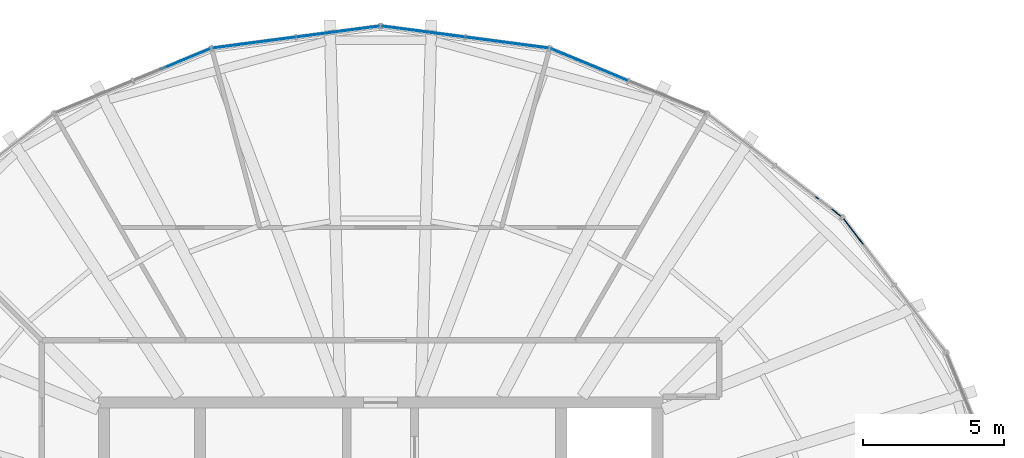
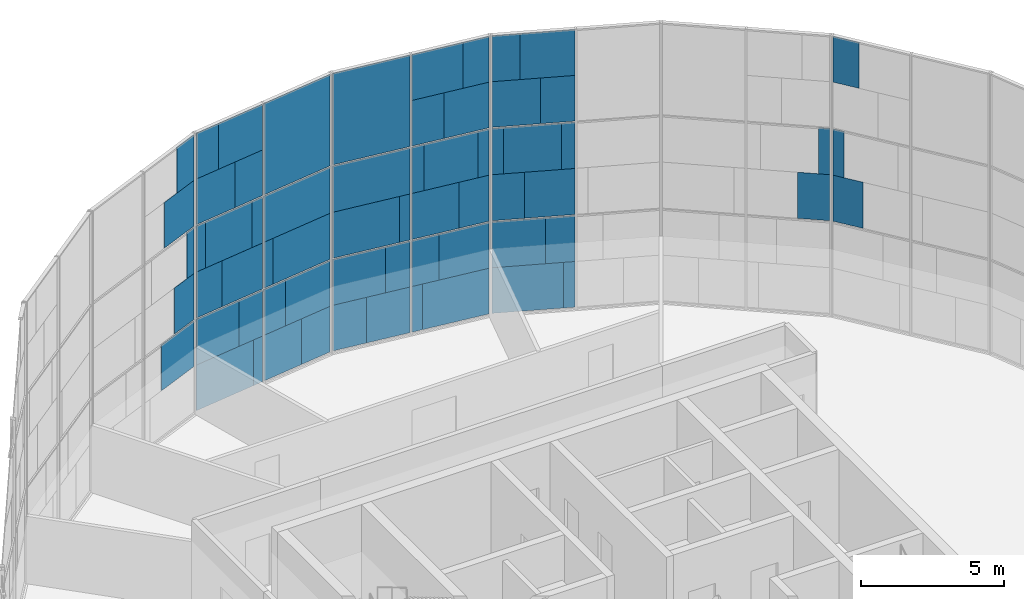
# One storey, part 17 of 23: 65 plates, 6 elements without a shape of their own.
"""IFC4 building model written with IfcOpenShell, lengths in metres."""

from ifc_helpers import new_model, si_unit, direction, frame, origin, origin_2d, place, context, subcontext, project, spatial, rectangle, extrude, material, layer, layer_set, type_object, element, aggregate, save


model = new_model("IFC4")

# Units and contexts
model_context = context("Model", 3, precision=1e-05, world=origin(), true_north=direction((0.0, 1.0)))
body_context = subcontext(model_context, "Body", "Model", "MODEL_VIEW")
ifc_project = project(units=[si_unit("LENGTHUNIT", "METRE"), si_unit("AREAUNIT", "SQUARE_METRE"), si_unit("VOLUMEUNIT", "CUBIC_METRE"), si_unit("PLANEANGLEUNIT", "RADIAN"), si_unit("MASSUNIT", "GRAM", prefix="KILO")], contexts=[model_context])

# Site, building, storey
site_placement = place(None, origin())
site = spatial("IfcSite", under=ifc_project, at=site_placement, CompositionType="ELEMENT")
building_placement = place(site_placement, origin())
building = spatial("IfcBuilding", under=site, at=building_placement, Name="Golbaran Civic Tower", CompositionType="ELEMENT")
storey_placement = place(building_placement, frame((0.0, 0.0, 220.0)))
storey = spatial("IfcBuildingStorey", under=building, at=storey_placement, Name="L53", CompositionType="ELEMENT", Elevation=220.0)

# Curtain wall, plates
ifc_material_1 = material(Name="Aluminium and glass", Category="aluminium")
curtain_wall_type = type_object("IfcCurtainWallType", Name="INNER SKIN CURTAIN WALL EXECUTIVE", PredefinedType="NOTDEFINED", material=ifc_material_1)
curtain_wall_1_placement = place(storey_placement, origin())
curtain_wall_1 = element("IfcCurtainWall", 1, at=curtain_wall_1_placement, inside=storey, type_object=curtain_wall_type, Name="Inner skin L53 facet 3 CW2", ObjectType="INNER SKIN", PredefinedType="USERDEFINED")
ifc_material_2 = material(Name="Clear insulating glass", Category="glass")
ifc_layer_1 = layer(ifc_material_2, 0.031982421875, Name="Clear insulating glass")
ifc_layer_set_1 = layer_set([ifc_layer_1], Name="Clear insulating glass")
plate_type_1 = type_object("IfcPlateType", Name="INNER SKIN CURTAIN WALL EXECUTIVE GLAZED PANEL", PredefinedType="CURTAIN_PANEL", material=ifc_layer_set_1)
plate_1_placement = place(storey_placement, frame((16.74169921875, 15.858642578125, 4.02978515625), z_axis=(0.0, 0.0, 1.0), x_axis=(-0.608761428981, 0.793353340312, 0.0)))
plate_1 = element("IfcPlate", 2, at=plate_1_placement, type_object=plate_type_1, Name="CW2 panel 2.2 part 2", PredefinedType="CURTAIN_PANEL", context=body_context, shape_type="SweptSolid", body=[
    extrude(rectangle(XDim=1.1396484375, YDim=0.031982421875, at=origin_2d()), origin(), (0.0, 0.0, 1.0), 1.969970703125),
])
plate_2_placement = place(storey_placement, frame((16.52001953125, 16.147216796875, 6.0), z_axis=(0.0, 0.0, 1.0), x_axis=(-0.608761428981, 0.793353340312, 0.0)))
plate_2 = element("IfcPlate", 3, at=plate_2_placement, type_object=plate_type_1, Name="CW2 panel 2.2 part 5", PredefinedType="CURTAIN_PANEL", context=body_context, shape_type="SweptSolid", body=[
    extrude(rectangle(XDim=0.41162109375, YDim=0.031982421875, at=origin_2d()), origin(), (0.0, 0.0, 1.0), 1.969970703125),
])

curtain_wall_2_placement = place(storey_placement, origin())
curtain_wall_2 = element("IfcCurtainWall", 4, at=curtain_wall_2_placement, inside=storey, type_object=curtain_wall_type, Name="Inner skin L53 facet 4 CW2", ObjectType="INNER SKIN", PredefinedType="USERDEFINED")
plate_3_placement = place(storey_placement, frame((15.85888671875, 16.741455078125, 4.02978515625), z_axis=(0.0, 0.0, 1.0), x_axis=(-0.793353340312, 0.608761428981, 0.0)))
plate_3 = element("IfcPlate", 5, at=plate_3_placement, type_object=plate_type_1, Name="CW2 panel 1.2 part 1", PredefinedType="CURTAIN_PANEL", context=body_context, shape_type="SweptSolid", body=[
    extrude(rectangle(XDim=1.138916015625, YDim=0.031982421875, at=origin_2d()), origin(), (0.0, 0.0, 1.0), 1.969970703125),
])
plate_4_placement = place(storey_placement, frame((16.147216796875, 16.52001953125, 6.0), z_axis=(0.0, 0.0, 1.0), x_axis=(-0.793353340312, 0.608761428981, 0.0)))
plate_4 = element("IfcPlate", 6, at=plate_4_placement, type_object=plate_type_1, Name="CW2 panel 1.2 part 3", PredefinedType="CURTAIN_PANEL", context=body_context, shape_type="SweptSolid", body=[
    extrude(rectangle(XDim=0.412109375, YDim=0.031982421875, at=origin_2d()), origin(), (0.0, 0.0, 1.0), 1.969970703125),
])
aggregate(curtain_wall_2, [plate_3, plate_4])

curtain_wall_3_placement = place(storey_placement, origin())
curtain_wall_3 = element("IfcCurtainWall", 7, at=curtain_wall_3_placement, inside=storey, type_object=curtain_wall_type, Name="Inner skin L53 facet 5 CW2", ObjectType="INNER SKIN", PredefinedType="USERDEFINED")
plate_5_placement = place(storey_placement, frame((7.21142578125, 21.8388671875, 0.06005859375), z_axis=(0.0, 0.0, 1.0), x_axis=(-0.923879532531, 0.382683432317, 0.0)))
plate_5 = element("IfcPlate", 8, at=plate_5_placement, type_object=plate_type_1, Name="CW2 panel 2.1 part 2", PredefinedType="CURTAIN_PANEL", context=body_context, shape_type="SweptSolid", body=[
    extrude(rectangle(XDim=2.529541015625, YDim=0.031982421875, at=origin_2d()), origin(), (0.0, 0.0, 1.0), 1.955078125),
])
plate_6_placement = place(storey_placement, frame((6.915771484375, 21.961181640625, 2.014892578125), z_axis=(0.0, 0.0, 1.0), x_axis=(-0.923879532531, 0.382683432317, 0.0)))
plate_6 = element("IfcPlate", 9, at=plate_6_placement, type_object=plate_type_1, Name="CW2 panel 2.1 part 4", PredefinedType="CURTAIN_PANEL", context=body_context, shape_type="SweptSolid", body=[
    extrude(rectangle(XDim=1.8896484375, YDim=0.031982421875, at=origin_2d()), origin(), (0.0, 0.0, 1.0), 1.955078125),
])
plate_7_placement = place(storey_placement, frame((6.5693359375, 22.104736328125, 4.02978515625), z_axis=(0.0, 0.0, 1.0), x_axis=(-0.923879532531, 0.382683432317, 0.0)))
plate_7 = element("IfcPlate", 10, at=plate_7_placement, type_object=plate_type_1, Name="CW2 panel 2.2 part 2", PredefinedType="CURTAIN_PANEL", context=body_context, shape_type="SweptSolid", body=[
    extrude(rectangle(XDim=1.1396484375, YDim=0.031982421875, at=origin_2d()), origin(), (0.0, 0.0, 1.0), 1.969970703125),
])
plate_8_placement = place(storey_placement, frame((8.532958984375, 21.29150390625, 6.0), z_axis=(0.0, 0.0, 1.0), x_axis=(-0.923879532531, 0.382683432317, 0.0)))
plate_8 = element("IfcPlate", 11, at=plate_8_placement, type_object=plate_type_1, Name="CW2 panel 2.2 part 3", PredefinedType="CURTAIN_PANEL", context=body_context, shape_type="SweptSolid", body=[
    extrude(rectangle(XDim=0.468994140625, YDim=0.031982421875, at=origin_2d()), origin(), (0.0, 0.0, 1.0), 1.969970703125),
])
plate_9_placement = place(storey_placement, frame((6.233154296875, 22.243896484375, 6.0), z_axis=(0.0, 0.0, 1.0), x_axis=(-0.923879532531, 0.382683432317, 0.0)))
plate_9 = element("IfcPlate", 12, at=plate_9_placement, type_object=plate_type_1, Name="CW2 panel 2.2 part 5", PredefinedType="CURTAIN_PANEL", context=body_context, shape_type="SweptSolid", body=[
    extrude(rectangle(XDim=0.41162109375, YDim=0.031982421875, at=origin_2d()), origin(), (0.0, 0.0, 1.0), 1.969970703125),
])
plate_10_placement = place(storey_placement, frame((8.1865234375, 21.434814453125, 8.030029296875), z_axis=(0.0, 0.0, 1.0), x_axis=(-0.923879532531, 0.382683432317, 0.0)))
plate_10 = element("IfcPlate", 13, at=plate_10_placement, type_object=plate_type_1, Name="CW2 panel 2.3 part 1", PredefinedType="CURTAIN_PANEL", context=body_context, shape_type="SweptSolid", body=[
    extrude(rectangle(XDim=1.218994140625, YDim=0.031982421875, at=origin_2d()), origin(), (0.0, 0.0, 1.0), 1.955078125),
])
plate_11_placement = place(storey_placement, frame((7.85302734375, 21.572998046875, 9.98486328125), z_axis=(0.0, 0.0, 1.0), x_axis=(-0.923879532531, 0.382683432317, 0.0)))
plate_11 = element("IfcPlate", 14, at=plate_11_placement, type_object=plate_type_1, Name="CW2 panel 2.3 part 3", PredefinedType="CURTAIN_PANEL", context=body_context, shape_type="SweptSolid", body=[
    extrude(rectangle(XDim=1.94091796875, YDim=0.031982421875, at=origin_2d()), origin(), (0.0, 0.0, 1.0), 1.955078125),
])

curtain_wall_4_placement = place(storey_placement, origin())
curtain_wall_4 = element("IfcCurtainWall", 15, at=curtain_wall_4_placement, inside=storey, type_object=curtain_wall_type, Name="Inner skin L53 facet 6 CW2", ObjectType="INNER SKIN", PredefinedType="USERDEFINED")
plate_12_placement = place(storey_placement, frame((4.6748046875, 22.5185546875, 0.06005859375), z_axis=(0.0, 0.0, 1.0), x_axis=(-0.991444861365, 0.130526192289, 0.0)))
plate_12 = element("IfcPlate", 16, at=plate_12_placement, type_object=plate_type_1, Name="CW2 panel 1.1 part 1", PredefinedType="CURTAIN_PANEL", context=body_context, shape_type="SweptSolid", body=[
    extrude(rectangle(XDim=2.528076171875, YDim=0.031982421875, at=origin_2d()), origin(), (0.0, 0.0, 1.0), 1.955078125),
])
plate_13_placement = place(storey_placement, frame((4.99169921875, 22.476806640625, 2.014892578125), z_axis=(0.0, 0.0, 1.0), x_axis=(-0.991444861365, 0.130526192289, 0.0)))
plate_13 = element("IfcPlate", 17, at=plate_13_placement, type_object=plate_type_1, Name="CW2 panel 1.1 part 3", PredefinedType="CURTAIN_PANEL", context=body_context, shape_type="SweptSolid", body=[
    extrude(rectangle(XDim=1.888916015625, YDim=0.031982421875, at=origin_2d()), origin(), (0.0, 0.0, 1.0), 1.955078125),
])
plate_14_placement = place(storey_placement, frame((5.363525390625, 22.427978515625, 4.02978515625), z_axis=(0.0, 0.0, 1.0), x_axis=(-0.991444861365, 0.130526192289, 0.0)))
plate_14 = element("IfcPlate", 18, at=plate_14_placement, type_object=plate_type_1, Name="CW2 panel 1.2 part 1", PredefinedType="CURTAIN_PANEL", context=body_context, shape_type="SweptSolid", body=[
    extrude(rectangle(XDim=1.138916015625, YDim=0.031982421875, at=origin_2d()), origin(), (0.0, 0.0, 1.0), 1.969970703125),
])
plate_15_placement = place(storey_placement, frame((5.723876953125, 22.38037109375, 6.0), z_axis=(0.0, 0.0, 1.0), x_axis=(-0.991444861365, 0.130526192289, 0.0)))
plate_15 = element("IfcPlate", 19, at=plate_15_placement, type_object=plate_type_1, Name="CW2 panel 1.2 part 3", PredefinedType="CURTAIN_PANEL", context=body_context, shape_type="SweptSolid", body=[
    extrude(rectangle(XDim=0.412109375, YDim=0.031982421875, at=origin_2d()), origin(), (0.0, 0.0, 1.0), 1.969970703125),
])
plate_16_placement = place(storey_placement, frame((3.255859375, 22.705322265625, 6.0), z_axis=(0.0, 0.0, 1.0), x_axis=(-0.991444861365, 0.130526192289, 0.0)))
plate_16 = element("IfcPlate", 20, at=plate_16_placement, type_object=plate_type_1, Name="CW2 panel 1.2 part 5", PredefinedType="CURTAIN_PANEL", context=body_context, shape_type="SweptSolid", body=[
    extrude(rectangle(XDim=0.468505859375, YDim=0.031982421875, at=origin_2d()), origin(), (0.0, 0.0, 1.0), 1.969970703125),
])
plate_17_placement = place(storey_placement, frame((3.627685546875, 22.656494140625, 8.030029296875), z_axis=(0.0, 0.0, 1.0), x_axis=(-0.991444861365, 0.130526192289, 0.0)))
plate_17 = element("IfcPlate", 21, at=plate_17_placement, type_object=plate_type_1, Name="CW2 panel 1.3 part 2", PredefinedType="CURTAIN_PANEL", context=body_context, shape_type="SweptSolid", body=[
    extrude(rectangle(XDim=1.218505859375, YDim=0.031982421875, at=origin_2d()), origin(), (0.0, 0.0, 1.0), 1.955078125),
])
plate_18_placement = place(storey_placement, frame((3.986083984375, 22.609130859375, 9.98486328125), z_axis=(0.0, 0.0, 1.0), x_axis=(-0.991444861365, 0.130526192289, 0.0)))
plate_18 = element("IfcPlate", 22, at=plate_18_placement, type_object=plate_type_1, Name="CW2 panel 1.3 part 4", PredefinedType="CURTAIN_PANEL", context=body_context, shape_type="SweptSolid", body=[
    extrude(rectangle(XDim=1.941650390625, YDim=0.031982421875, at=origin_2d()), origin(), (0.0, 0.0, 1.0), 1.955078125),
])
plate_19_placement = place(storey_placement, frame((0.686279296875, 23.043701171875, 0.06005859375), z_axis=(0.0, 0.0, 1.0), x_axis=(-0.991444861365, 0.130526192289, 0.0)))
plate_19 = element("IfcPlate", 23, at=plate_19_placement, type_object=plate_type_1, Name="CW2 panel 2.1 part 2", PredefinedType="CURTAIN_PANEL", context=body_context, shape_type="SweptSolid", body=[
    extrude(rectangle(XDim=1.2646484375, YDim=0.031982421875, at=origin_2d()), origin(), (0.0, 0.0, 1.0), 1.955078125),
])
plate_20_placement = place(storey_placement, frame((1.044189453125, 22.99658203125, 2.014892578125), z_axis=(0.0, 0.0, 1.0), x_axis=(-0.991444861365, 0.130526192289, 0.0)))
plate_20 = element("IfcPlate", 24, at=plate_20_placement, type_object=plate_type_1, Name="CW2 panel 2.1 part 4", PredefinedType="CURTAIN_PANEL", context=body_context, shape_type="SweptSolid", body=[
    extrude(rectangle(XDim=1.986572265625, YDim=0.031982421875, at=origin_2d()), origin(), (0.0, 0.0, 1.0), 1.955078125),
])
plate_21_placement = place(storey_placement, frame((1.31298828125, 22.961181640625, 4.02978515625), z_axis=(0.0, 0.0, 1.0), x_axis=(-0.991444861365, 0.130526192289, 0.0)))
plate_21 = element("IfcPlate", 25, at=plate_21_placement, type_object=plate_type_1, Name="CW2 panel 2.2 part 2", PredefinedType="CURTAIN_PANEL", context=body_context, shape_type="SweptSolid", body=[
    extrude(rectangle(XDim=2.528564453125, YDim=0.031982421875, at=origin_2d()), origin(), (0.0, 0.0, 1.0), 1.969970703125),
])
plate_22_placement = place(storey_placement, frame((1.51171875, 22.93505859375, 6.0), z_axis=(0.0, 0.0, 1.0), x_axis=(-0.991444861365, 0.130526192289, 0.0)))
plate_22 = element("IfcPlate", 26, at=plate_22_placement, type_object=plate_type_1, Name="CW2 panel 2.2 part 3", PredefinedType="CURTAIN_PANEL", context=body_context, shape_type="SweptSolid", body=[
    extrude(rectangle(XDim=2.9296875, YDim=0.031982421875, at=origin_2d()), origin(), (0.0, 0.0, 1.0), 1.969970703125),
])
plate_23_placement = place(storey_placement, frame((1.51171875, 22.93505859375, 8.0302734375), z_axis=(0.0, 0.0, 1.0), x_axis=(-0.991444861365, 0.130526192289, 0.0)))
plate_23 = element("IfcPlate", 27, at=plate_23_placement, type_object=plate_type_1, Name="CW2 panel 2.3", PredefinedType="CURTAIN_PANEL", context=body_context, shape_type="SweptSolid", body=[
    extrude(rectangle(XDim=2.9296875, YDim=0.031982421875, at=origin_2d()), origin(), (0.0, 0.0, 1.0), 3.909912109375),
])

curtain_wall_5_placement = place(storey_placement, origin())
curtain_wall_5 = element("IfcCurtainWall", 28, at=curtain_wall_5_placement, inside=storey, type_object=curtain_wall_type, Name="Inner skin L53 facet 7 CW2", ObjectType="INNER SKIN", PredefinedType="USERDEFINED")
plate_24_placement = place(storey_placement, frame((-0.68603515625, 23.043701171875, 0.06005859375), z_axis=(0.0, 0.0, 1.0), x_axis=(-0.991444861365, -0.130526192289, 0.0)))
plate_24 = element("IfcPlate", 29, at=plate_24_placement, type_object=plate_type_1, Name="CW2 panel 1.1 part 1", PredefinedType="CURTAIN_PANEL", context=body_context, shape_type="SweptSolid", body=[
    extrude(rectangle(XDim=1.263916015625, YDim=0.031982421875, at=origin_2d()), origin(), (0.0, 0.0, 1.0), 1.955078125),
])
plate_25_placement = place(storey_placement, frame((-1.04443359375, 22.99658203125, 2.014892578125), z_axis=(0.0, 0.0, 1.0), x_axis=(-0.991444861365, -0.130526192289, 0.0)))
plate_25 = element("IfcPlate", 30, at=plate_25_placement, type_object=plate_type_1, Name="CW2 panel 1.1 part 3", PredefinedType="CURTAIN_PANEL", context=body_context, shape_type="SweptSolid", body=[
    extrude(rectangle(XDim=1.987060546875, YDim=0.031982421875, at=origin_2d()), origin(), (0.0, 0.0, 1.0), 1.955078125),
])
plate_26_placement = place(storey_placement, frame((-1.312744140625, 22.961181640625, 4.02978515625), z_axis=(0.0, 0.0, 1.0), x_axis=(-0.991444861365, -0.130526192289, 0.0)))
plate_26 = element("IfcPlate", 31, at=plate_26_placement, type_object=plate_type_1, Name="CW2 panel 1.2 part 1", PredefinedType="CURTAIN_PANEL", context=body_context, shape_type="SweptSolid", body=[
    extrude(rectangle(XDim=2.528076171875, YDim=0.031982421875, at=origin_2d()), origin(), (0.0, 0.0, 1.0), 1.969970703125),
])
plate_27_placement = place(storey_placement, frame((-1.51171875, 22.93505859375, 6.0), z_axis=(0.0, 0.0, 1.0), x_axis=(-0.991444861365, -0.130526192289, 0.0)))
plate_27 = element("IfcPlate", 32, at=plate_27_placement, type_object=plate_type_1, Name="CW2 panel 1.2 part 3", PredefinedType="CURTAIN_PANEL", context=body_context, shape_type="SweptSolid", body=[
    extrude(rectangle(XDim=2.9296875, YDim=0.031982421875, at=origin_2d()), origin(), (0.0, 0.0, 1.0), 1.969970703125),
])
plate_28_placement = place(storey_placement, frame((-1.51171875, 22.93505859375, 8.0302734375), z_axis=(0.0, 0.0, 1.0), x_axis=(-0.991444861365, -0.130526192289, 0.0)))
plate_28 = element("IfcPlate", 33, at=plate_28_placement, type_object=plate_type_1, Name="CW2 panel 1.3", PredefinedType="CURTAIN_PANEL", context=body_context, shape_type="SweptSolid", body=[
    extrude(rectangle(XDim=2.9296875, YDim=0.031982421875, at=origin_2d()), origin(), (0.0, 0.0, 1.0), 3.909912109375),
])
plate_29_placement = place(storey_placement, frame((-4.674072265625, 22.5185546875, 0.06005859375), z_axis=(0.0, 0.0, 1.0), x_axis=(-0.991444861365, -0.130526192289, 0.0)))
plate_29 = element("IfcPlate", 34, at=plate_29_placement, type_object=plate_type_1, Name="CW2 panel 2.1 part 2", PredefinedType="CURTAIN_PANEL", context=body_context, shape_type="SweptSolid", body=[
    extrude(rectangle(XDim=2.529541015625, YDim=0.031982421875, at=origin_2d()), origin(), (0.0, 0.0, 1.0), 1.955078125),
])
plate_30_placement = place(storey_placement, frame((-4.9912109375, 22.476806640625, 2.014892578125), z_axis=(0.0, 0.0, 1.0), x_axis=(-0.991444861365, -0.130526192289, 0.0)))
plate_30 = element("IfcPlate", 35, at=plate_30_placement, type_object=plate_type_1, Name="CW2 panel 2.1 part 4", PredefinedType="CURTAIN_PANEL", context=body_context, shape_type="SweptSolid", body=[
    extrude(rectangle(XDim=1.8896484375, YDim=0.031982421875, at=origin_2d()), origin(), (0.0, 0.0, 1.0), 1.955078125),
])
plate_31_placement = place(storey_placement, frame((-5.363037109375, 22.427978515625, 4.02978515625), z_axis=(0.0, 0.0, 1.0), x_axis=(-0.991444861365, -0.130526192289, 0.0)))
plate_31 = element("IfcPlate", 36, at=plate_31_placement, type_object=plate_type_1, Name="CW2 panel 2.2 part 2", PredefinedType="CURTAIN_PANEL", context=body_context, shape_type="SweptSolid", body=[
    extrude(rectangle(XDim=1.1396484375, YDim=0.031982421875, at=origin_2d()), origin(), (0.0, 0.0, 1.0), 1.969970703125),
])
plate_32_placement = place(storey_placement, frame((-3.256103515625, 22.705322265625, 6.0), z_axis=(0.0, 0.0, 1.0), x_axis=(-0.991444861365, -0.130526192289, 0.0)))
plate_32 = element("IfcPlate", 37, at=plate_32_placement, type_object=plate_type_1, Name="CW2 panel 2.2 part 3", PredefinedType="CURTAIN_PANEL", context=body_context, shape_type="SweptSolid", body=[
    extrude(rectangle(XDim=0.468994140625, YDim=0.031982421875, at=origin_2d()), origin(), (0.0, 0.0, 1.0), 1.969970703125),
])
plate_33_placement = place(storey_placement, frame((-5.723876953125, 22.38037109375, 6.0), z_axis=(0.0, 0.0, 1.0), x_axis=(-0.991444861365, -0.130526192289, 0.0)))
plate_33 = element("IfcPlate", 38, at=plate_33_placement, type_object=plate_type_1, Name="CW2 panel 2.2 part 5", PredefinedType="CURTAIN_PANEL", context=body_context, shape_type="SweptSolid", body=[
    extrude(rectangle(XDim=0.41162109375, YDim=0.031982421875, at=origin_2d()), origin(), (0.0, 0.0, 1.0), 1.969970703125),
])
plate_34_placement = place(storey_placement, frame((-3.627685546875, 22.656494140625, 8.030029296875), z_axis=(0.0, 0.0, 1.0), x_axis=(-0.991444861365, -0.130526192289, 0.0)))
plate_34 = element("IfcPlate", 39, at=plate_34_placement, type_object=plate_type_1, Name="CW2 panel 2.3 part 1", PredefinedType="CURTAIN_PANEL", context=body_context, shape_type="SweptSolid", body=[
    extrude(rectangle(XDim=1.218994140625, YDim=0.031982421875, at=origin_2d()), origin(), (0.0, 0.0, 1.0), 1.955078125),
])
plate_35_placement = place(storey_placement, frame((-3.985595703125, 22.609375, 9.98486328125), z_axis=(0.0, 0.0, 1.0), x_axis=(-0.991444861365, -0.130526192289, 0.0)))
plate_35 = element("IfcPlate", 40, at=plate_35_placement, type_object=plate_type_1, Name="CW2 panel 2.3 part 3", PredefinedType="CURTAIN_PANEL", context=body_context, shape_type="SweptSolid", body=[
    extrude(rectangle(XDim=1.94091796875, YDim=0.031982421875, at=origin_2d()), origin(), (0.0, 0.0, 1.0), 1.955078125),
])

curtain_wall_6_placement = place(storey_placement, origin())
curtain_wall_6 = element("IfcCurtainWall", 41, at=curtain_wall_6_placement, inside=storey, type_object=curtain_wall_type, Name="Inner skin L53 facet 8 CW2", ObjectType="INNER SKIN", PredefinedType="USERDEFINED")
plate_36_placement = place(storey_placement, frame((-6.91552734375, 21.96142578125, 2.014892578125), z_axis=(0.0, 0.0, 1.0), x_axis=(-0.923879532531, -0.382683432317, 0.0)))
plate_36 = element("IfcPlate", 42, at=plate_36_placement, type_object=plate_type_1, Name="CW2 panel 1.1 part 3", PredefinedType="CURTAIN_PANEL", context=body_context, shape_type="SweptSolid", body=[
    extrude(rectangle(XDim=1.888916015625, YDim=0.031982421875, at=origin_2d()), origin(), (0.0, 0.0, 1.0), 1.955078125),
])
plate_37_placement = place(storey_placement, frame((-6.569091796875, 22.104736328125, 4.02978515625), z_axis=(0.0, 0.0, 1.0), x_axis=(-0.923879532531, -0.382683432317, 0.0)))
plate_37 = element("IfcPlate", 43, at=plate_37_placement, type_object=plate_type_1, Name="CW2 panel 1.2 part 1", PredefinedType="CURTAIN_PANEL", context=body_context, shape_type="SweptSolid", body=[
    extrude(rectangle(XDim=1.138916015625, YDim=0.031982421875, at=origin_2d()), origin(), (0.0, 0.0, 1.0), 1.969970703125),
])
plate_38_placement = place(storey_placement, frame((-6.233154296875, 22.243896484375, 6.0), z_axis=(0.0, 0.0, 1.0), x_axis=(-0.923879532531, -0.382683432317, 0.0)))
plate_38 = element("IfcPlate", 44, at=plate_38_placement, type_object=plate_type_1, Name="CW2 panel 1.2 part 3", PredefinedType="CURTAIN_PANEL", context=body_context, shape_type="SweptSolid", body=[
    extrude(rectangle(XDim=0.412109375, YDim=0.031982421875, at=origin_2d()), origin(), (0.0, 0.0, 1.0), 1.969970703125),
])

# Plate
ifc_material_3 = material(Name="Aluminium faced opaque infill panel", Category="aluminium")
ifc_layer_2 = layer(ifc_material_3, 0.031982421875, Name="Aluminium faced opaque infill panel")
ifc_layer_set_2 = layer_set([ifc_layer_2], Name="Aluminium faced opaque infill panel")
plate_type_2 = type_object("IfcPlateType", Name="INNER SKIN CURTAIN WALL EXECUTIVE OPAQUE INFILL PANEL", PredefinedType="CURTAIN_PANEL", material=ifc_layer_set_2)
plate_39_placement = place(storey_placement, frame((16.695556640625, 15.91845703125, 9.98486328125), z_axis=(0.0, 0.0, 1.0), x_axis=(-0.608761428981, 0.793353340312, 0.0)))
plate_39 = element("IfcPlate", 45, at=plate_39_placement, type_object=plate_type_2, Name="CW2 infill panel 2.3 part 4", PredefinedType="CURTAIN_PANEL", context=body_context, shape_type="SweptSolid", body=[
    extrude(rectangle(XDim=0.988525390625, YDim=0.031982421875, at=origin_2d()), origin(), (0.0, 0.0, 1.0), 1.955078125),
])

aggregate(curtain_wall_1, [plate_1, plate_2, plate_39])

plate_40_placement = place(storey_placement, frame((8.564697265625, 21.278076171875, 0.06005859375), z_axis=(0.0, 0.0, 1.0), x_axis=(-0.923879532531, 0.382683432317, 0.0)))
plate_40 = element("IfcPlate", 46, at=plate_40_placement, type_object=plate_type_2, Name="CW2 infill panel 2.1 part 1", PredefinedType="CURTAIN_PANEL", context=body_context, shape_type="SweptSolid", body=[
    extrude(rectangle(XDim=0.39990234375, YDim=0.031982421875, at=origin_2d()), origin(), (0.0, 0.0, 1.0), 1.955078125),
])

plate_41_placement = place(storey_placement, frame((8.26904296875, 21.400634765625, 2.014892578125), z_axis=(0.0, 0.0, 1.0), x_axis=(-0.923879532531, 0.382683432317, 0.0)))
plate_41 = element("IfcPlate", 47, at=plate_41_placement, type_object=plate_type_2, Name="CW2 infill panel 2.1 part 3", PredefinedType="CURTAIN_PANEL", context=body_context, shape_type="SweptSolid", body=[
    extrude(rectangle(XDim=1.0400390625, YDim=0.031982421875, at=origin_2d()), origin(), (0.0, 0.0, 1.0), 1.955078125),
])

plate_42_placement = place(storey_placement, frame((7.922607421875, 21.544189453125, 4.02978515625), z_axis=(0.0, 0.0, 1.0), x_axis=(-0.923879532531, 0.382683432317, 0.0)))
plate_42 = element("IfcPlate", 48, at=plate_42_placement, type_object=plate_type_2, Name="CW2 infill panel 2.2 part 1", PredefinedType="CURTAIN_PANEL", context=body_context, shape_type="SweptSolid", body=[
    extrude(rectangle(XDim=1.7900390625, YDim=0.031982421875, at=origin_2d()), origin(), (0.0, 0.0, 1.0), 1.969970703125),
])

plate_43_placement = place(storey_placement, frame((7.36962890625, 21.773193359375, 6.0), z_axis=(0.0, 0.0, 1.0), x_axis=(-0.923879532531, 0.382683432317, 0.0)))
plate_43 = element("IfcPlate", 49, at=plate_43_placement, type_object=plate_type_2, Name="CW2 infill panel 2.2 part 4", PredefinedType="CURTAIN_PANEL", context=body_context, shape_type="SweptSolid", body=[
    extrude(rectangle(XDim=2.049072265625, YDim=0.031982421875, at=origin_2d()), origin(), (0.0, 0.0, 1.0), 1.969970703125),
])

plate_44_placement = place(storey_placement, frame((6.833251953125, 21.995361328125, 8.030029296875), z_axis=(0.0, 0.0, 1.0), x_axis=(-0.923879532531, 0.382683432317, 0.0)))
plate_44 = element("IfcPlate", 50, at=plate_44_placement, type_object=plate_type_2, Name="CW2 infill panel 2.3 part 2", PredefinedType="CURTAIN_PANEL", context=body_context, shape_type="SweptSolid", body=[
    extrude(rectangle(XDim=1.710693359375, YDim=0.031982421875, at=origin_2d()), origin(), (0.0, 0.0, 1.0), 1.955078125),
])

plate_45_placement = place(storey_placement, frame((6.49951171875, 22.133544921875, 9.98486328125), z_axis=(0.0, 0.0, 1.0), x_axis=(-0.923879532531, 0.382683432317, 0.0)))
plate_45 = element("IfcPlate", 51, at=plate_45_placement, type_object=plate_type_2, Name="CW2 infill panel 2.3 part 4", PredefinedType="CURTAIN_PANEL", context=body_context, shape_type="SweptSolid", body=[
    extrude(rectangle(XDim=0.988525390625, YDim=0.031982421875, at=origin_2d()), origin(), (0.0, 0.0, 1.0), 1.955078125),
])

aggregate(curtain_wall_3, [plate_40, plate_5, plate_41, plate_6, plate_42, plate_7, plate_8, plate_43, plate_9, plate_10, plate_44, plate_11, plate_45])

plate_46_placement = place(storey_placement, frame((3.22265625, 22.709716796875, 0.06005859375), z_axis=(0.0, 0.0, 1.0), x_axis=(-0.991444861365, 0.130526192289, 0.0)))
plate_46 = element("IfcPlate", 52, at=plate_46_placement, type_object=plate_type_2, Name="CW2 infill panel 1.1 part 2", PredefinedType="CURTAIN_PANEL", context=body_context, shape_type="SweptSolid", body=[
    extrude(rectangle(XDim=0.401611328125, YDim=0.031982421875, at=origin_2d()), origin(), (0.0, 0.0, 1.0), 1.955078125),
])

plate_47_placement = place(storey_placement, frame((3.539306640625, 22.66796875, 2.014892578125), z_axis=(0.0, 0.0, 1.0), x_axis=(-0.991444861365, 0.130526192289, 0.0)))
plate_47 = element("IfcPlate", 53, at=plate_47_placement, type_object=plate_type_2, Name="CW2 infill panel 1.1 part 4", PredefinedType="CURTAIN_PANEL", context=body_context, shape_type="SweptSolid", body=[
    extrude(rectangle(XDim=1.04052734375, YDim=0.031982421875, at=origin_2d()), origin(), (0.0, 0.0, 1.0), 1.955078125),
])

plate_48_placement = place(storey_placement, frame((3.9111328125, 22.619140625, 4.02978515625), z_axis=(0.0, 0.0, 1.0), x_axis=(-0.991444861365, 0.130526192289, 0.0)))
plate_48 = element("IfcPlate", 54, at=plate_48_placement, type_object=plate_type_2, Name="CW2 infill panel 1.2 part 2", PredefinedType="CURTAIN_PANEL", context=body_context, shape_type="SweptSolid", body=[
    extrude(rectangle(XDim=1.79052734375, YDim=0.031982421875, at=origin_2d()), origin(), (0.0, 0.0, 1.0), 1.969970703125),
])

plate_49_placement = place(storey_placement, frame((4.50390625, 22.541015625, 6.0), z_axis=(0.0, 0.0, 1.0), x_axis=(-0.991444861365, 0.130526192289, 0.0)))
plate_49 = element("IfcPlate", 55, at=plate_49_placement, type_object=plate_type_2, Name="CW2 infill panel 1.2 part 4", PredefinedType="CURTAIN_PANEL", context=body_context, shape_type="SweptSolid", body=[
    extrude(rectangle(XDim=2.049072265625, YDim=0.031982421875, at=origin_2d()), origin(), (0.0, 0.0, 1.0), 1.969970703125),
])

plate_50_placement = place(storey_placement, frame((5.079833984375, 22.46533203125, 8.030029296875), z_axis=(0.0, 0.0, 1.0), x_axis=(-0.991444861365, 0.130526192289, 0.0)))
plate_50 = element("IfcPlate", 56, at=plate_50_placement, type_object=plate_type_2, Name="CW2 infill panel 1.3 part 1", PredefinedType="CURTAIN_PANEL", context=body_context, shape_type="SweptSolid", body=[
    extrude(rectangle(XDim=1.7109375, YDim=0.031982421875, at=origin_2d()), origin(), (0.0, 0.0, 1.0), 1.955078125),
])

plate_51_placement = place(storey_placement, frame((5.438232421875, 22.41796875, 9.98486328125), z_axis=(0.0, 0.0, 1.0), x_axis=(-0.991444861365, 0.130526192289, 0.0)))
plate_51 = element("IfcPlate", 57, at=plate_51_placement, type_object=plate_type_2, Name="CW2 infill panel 1.3 part 3", PredefinedType="CURTAIN_PANEL", context=body_context, shape_type="SweptSolid", body=[
    extrude(rectangle(XDim=0.988037109375, YDim=0.031982421875, at=origin_2d()), origin(), (0.0, 0.0, 1.0), 1.955078125),
])

plate_52_placement = place(storey_placement, frame((2.138671875, 22.8525390625, 0.06005859375), z_axis=(0.0, 0.0, 1.0), x_axis=(-0.991444861365, 0.130526192289, 0.0)))
plate_52 = element("IfcPlate", 58, at=plate_52_placement, type_object=plate_type_2, Name="CW2 infill panel 2.1 part 1", PredefinedType="CURTAIN_PANEL", context=body_context, shape_type="SweptSolid", body=[
    extrude(rectangle(XDim=1.6650390625, YDim=0.031982421875, at=origin_2d()), origin(), (0.0, 0.0, 1.0), 1.955078125),
])

plate_53_placement = place(storey_placement, frame((2.49658203125, 22.805419921875, 2.014892578125), z_axis=(0.0, 0.0, 1.0), x_axis=(-0.991444861365, 0.130526192289, 0.0)))
plate_53 = element("IfcPlate", 59, at=plate_53_placement, type_object=plate_type_2, Name="CW2 infill panel 2.1 part 3", PredefinedType="CURTAIN_PANEL", context=body_context, shape_type="SweptSolid", body=[
    extrude(rectangle(XDim=0.943115234375, YDim=0.031982421875, at=origin_2d()), origin(), (0.0, 0.0, 1.0), 1.955078125),
])

plate_54_placement = place(storey_placement, frame((2.76513671875, 22.77001953125, 4.02978515625), z_axis=(0.0, 0.0, 1.0), x_axis=(-0.991444861365, 0.130526192289, 0.0)))
plate_54 = element("IfcPlate", 60, at=plate_54_placement, type_object=plate_type_2, Name="CW2 infill panel 2.2 part 1", PredefinedType="CURTAIN_PANEL", context=body_context, shape_type="SweptSolid", body=[
    extrude(rectangle(XDim=0.40087890625, YDim=0.031982421875, at=origin_2d()), origin(), (0.0, 0.0, 1.0), 1.969970703125),
])

aggregate(curtain_wall_4, [plate_12, plate_46, plate_13, plate_47, plate_14, plate_48, plate_15, plate_49, plate_16, plate_50, plate_17, plate_51, plate_18, plate_52, plate_19, plate_53, plate_20, plate_54, plate_21, plate_22, plate_23])

plate_55_placement = place(storey_placement, frame((-2.138427734375, 22.8525390625, 0.06005859375), z_axis=(0.0, 0.0, 1.0), x_axis=(-0.991444861365, -0.130526192289, 0.0)))
plate_55 = element("IfcPlate", 61, at=plate_55_placement, type_object=plate_type_2, Name="CW2 infill panel 1.1 part 2", PredefinedType="CURTAIN_PANEL", context=body_context, shape_type="SweptSolid", body=[
    extrude(rectangle(XDim=1.66552734375, YDim=0.031982421875, at=origin_2d()), origin(), (0.0, 0.0, 1.0), 1.955078125),
])

plate_56_placement = place(storey_placement, frame((-2.496826171875, 22.80517578125, 2.014892578125), z_axis=(0.0, 0.0, 1.0), x_axis=(-0.991444861365, -0.130526192289, 0.0)))
plate_56 = element("IfcPlate", 62, at=plate_56_placement, type_object=plate_type_2, Name="CW2 infill panel 1.1 part 4", PredefinedType="CURTAIN_PANEL", context=body_context, shape_type="SweptSolid", body=[
    extrude(rectangle(XDim=0.942626953125, YDim=0.031982421875, at=origin_2d()), origin(), (0.0, 0.0, 1.0), 1.955078125),
])

plate_57_placement = place(storey_placement, frame((-2.764892578125, 22.77001953125, 4.02978515625), z_axis=(0.0, 0.0, 1.0), x_axis=(-0.991444861365, -0.130526192289, 0.0)))
plate_57 = element("IfcPlate", 63, at=plate_57_placement, type_object=plate_type_2, Name="CW2 infill panel 1.2 part 2", PredefinedType="CURTAIN_PANEL", context=body_context, shape_type="SweptSolid", body=[
    extrude(rectangle(XDim=0.401611328125, YDim=0.031982421875, at=origin_2d()), origin(), (0.0, 0.0, 1.0), 1.969970703125),
])

plate_58_placement = place(storey_placement, frame((-3.2216796875, 22.7099609375, 0.06005859375), z_axis=(0.0, 0.0, 1.0), x_axis=(-0.991444861365, -0.130526192289, 0.0)))
plate_58 = element("IfcPlate", 64, at=plate_58_placement, type_object=plate_type_2, Name="CW2 infill panel 2.1 part 1", PredefinedType="CURTAIN_PANEL", context=body_context, shape_type="SweptSolid", body=[
    extrude(rectangle(XDim=0.39990234375, YDim=0.031982421875, at=origin_2d()), origin(), (0.0, 0.0, 1.0), 1.955078125),
])

plate_59_placement = place(storey_placement, frame((-3.5390625, 22.66796875, 2.014892578125), z_axis=(0.0, 0.0, 1.0), x_axis=(-0.991444861365, -0.130526192289, 0.0)))
plate_59 = element("IfcPlate", 65, at=plate_59_placement, type_object=plate_type_2, Name="CW2 infill panel 2.1 part 3", PredefinedType="CURTAIN_PANEL", context=body_context, shape_type="SweptSolid", body=[
    extrude(rectangle(XDim=1.0400390625, YDim=0.031982421875, at=origin_2d()), origin(), (0.0, 0.0, 1.0), 1.955078125),
])

plate_60_placement = place(storey_placement, frame((-3.910888671875, 22.619140625, 4.02978515625), z_axis=(0.0, 0.0, 1.0), x_axis=(-0.991444861365, -0.130526192289, 0.0)))
plate_60 = element("IfcPlate", 66, at=plate_60_placement, type_object=plate_type_2, Name="CW2 infill panel 2.2 part 1", PredefinedType="CURTAIN_PANEL", context=body_context, shape_type="SweptSolid", body=[
    extrude(rectangle(XDim=1.7900390625, YDim=0.031982421875, at=origin_2d()), origin(), (0.0, 0.0, 1.0), 1.969970703125),
])

plate_61_placement = place(storey_placement, frame((-4.504150390625, 22.541015625, 6.0), z_axis=(0.0, 0.0, 1.0), x_axis=(-0.991444861365, -0.130526192289, 0.0)))
plate_61 = element("IfcPlate", 67, at=plate_61_placement, type_object=plate_type_2, Name="CW2 infill panel 2.2 part 4", PredefinedType="CURTAIN_PANEL", context=body_context, shape_type="SweptSolid", body=[
    extrude(rectangle(XDim=2.049072265625, YDim=0.031982421875, at=origin_2d()), origin(), (0.0, 0.0, 1.0), 1.969970703125),
])

plate_62_placement = place(storey_placement, frame((-5.080078125, 22.465087890625, 8.030029296875), z_axis=(0.0, 0.0, 1.0), x_axis=(-0.991444861365, -0.130526192289, 0.0)))
plate_62 = element("IfcPlate", 68, at=plate_62_placement, type_object=plate_type_2, Name="CW2 infill panel 2.3 part 2", PredefinedType="CURTAIN_PANEL", context=body_context, shape_type="SweptSolid", body=[
    extrude(rectangle(XDim=1.710693359375, YDim=0.031982421875, at=origin_2d()), origin(), (0.0, 0.0, 1.0), 1.955078125),
])

plate_63_placement = place(storey_placement, frame((-5.43798828125, 22.41796875, 9.98486328125), z_axis=(0.0, 0.0, 1.0), x_axis=(-0.991444861365, -0.130526192289, 0.0)))
plate_63 = element("IfcPlate", 69, at=plate_63_placement, type_object=plate_type_2, Name="CW2 infill panel 2.3 part 4", PredefinedType="CURTAIN_PANEL", context=body_context, shape_type="SweptSolid", body=[
    extrude(rectangle(XDim=0.988525390625, YDim=0.031982421875, at=origin_2d()), origin(), (0.0, 0.0, 1.0), 1.955078125),
])

aggregate(curtain_wall_5, [plate_24, plate_55, plate_25, plate_56, plate_26, plate_57, plate_27, plate_28, plate_58, plate_29, plate_59, plate_30, plate_60, plate_31, plate_32, plate_61, plate_33, plate_34, plate_62, plate_35, plate_63])

plate_64_placement = place(storey_placement, frame((-6.833251953125, 21.995361328125, 8.030029296875), z_axis=(0.0, 0.0, 1.0), x_axis=(-0.923879532531, -0.382683432317, 0.0)))
plate_64 = element("IfcPlate", 70, at=plate_64_placement, type_object=plate_type_2, Name="CW2 infill panel 1.3 part 1", PredefinedType="CURTAIN_PANEL", context=body_context, shape_type="SweptSolid", body=[
    extrude(rectangle(XDim=1.7109375, YDim=0.031982421875, at=origin_2d()), origin(), (0.0, 0.0, 1.0), 1.955078125),
])

plate_65_placement = place(storey_placement, frame((-6.499267578125, 22.1337890625, 9.98486328125), z_axis=(0.0, 0.0, 1.0), x_axis=(-0.923879532531, -0.382683432317, 0.0)))
plate_65 = element("IfcPlate", 71, at=plate_65_placement, type_object=plate_type_2, Name="CW2 infill panel 1.3 part 3", PredefinedType="CURTAIN_PANEL", context=body_context, shape_type="SweptSolid", body=[
    extrude(rectangle(XDim=0.988037109375, YDim=0.031982421875, at=origin_2d()), origin(), (0.0, 0.0, 1.0), 1.955078125),
])

aggregate(curtain_wall_6, [plate_36, plate_37, plate_38, plate_64, plate_65])

save(model, "model.ifc")
